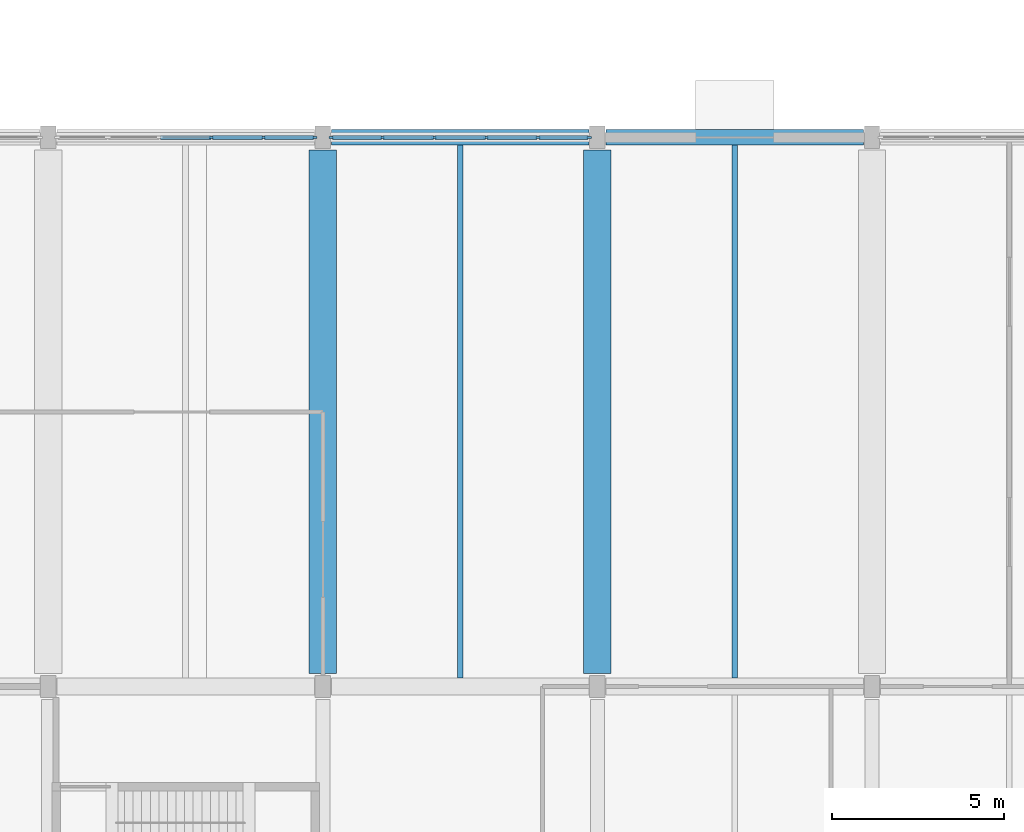
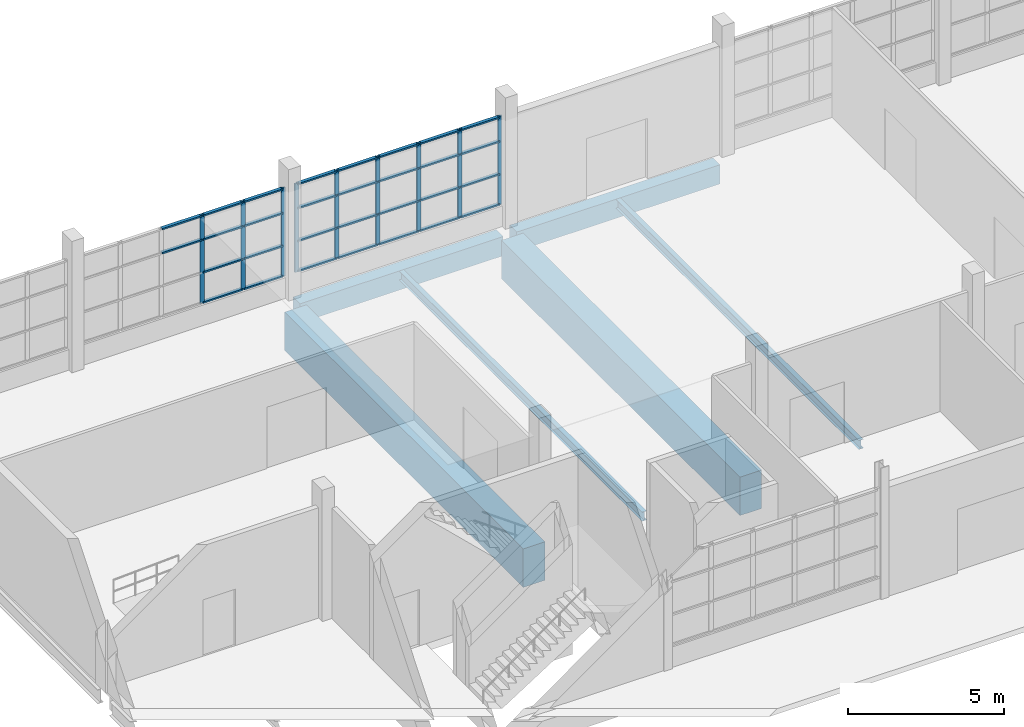
# One storey, part 22 of 103: 39 members, 6 beams, 2 elements without a shape of their own.
"""IFC4 building model written with IfcOpenShell, lengths in metres."""

from ifc_helpers import new_model, si_unit, direction, frame, origin, origin_2d, place, context, subcontext, project, spatial, rectangle, i_section, extrude, material, layer, layer_set, material_profile, profile_set, type_object, element, aggregate, save


model = new_model("IFC4")

# Units and contexts
model_context = context("Model", 3, precision=1e-05, world=origin(), true_north=direction((0.0, 1.0)))
body_context = subcontext(model_context, "Body", "Model", "MODEL_VIEW")
ifc_project = project(units=[si_unit("LENGTHUNIT", "METRE"), si_unit("AREAUNIT", "SQUARE_METRE"), si_unit("VOLUMEUNIT", "CUBIC_METRE"), si_unit("PLANEANGLEUNIT", "RADIAN"), si_unit("MASSUNIT", "GRAM", prefix="KILO")], contexts=[model_context])

# Site, building, storey
site_placement = place(None, origin())
site = spatial("IfcSite", under=ifc_project, at=site_placement, CompositionType="ELEMENT")
building_placement = place(site_placement, origin())
building = spatial("IfcBuilding", under=site, at=building_placement, Name="Drelvana Railside Aquatics Centre", CompositionType="ELEMENT")
storey_placement = place(building_placement, origin())
storey = spatial("IfcBuildingStorey", under=building, at=storey_placement, Name="L00", CompositionType="ELEMENT", Elevation=0.0)

# Curtain wall, members
ifc_material_1 = material(Name="Bronze-anodised aluminium curtain wall", Category="aluminium")
ifc_layer = layer(ifc_material_1, 0.1650390625, Name="Bronze-anodised aluminium curtain wall")
ifc_layer_set = layer_set([ifc_layer], Name="Bronze-anodised aluminium curtain wall")
curtain_wall_type = type_object("IfcCurtainWallType", Name="CW-Z5-COURT", PredefinedType="NOTDEFINED", material=ifc_layer_set)
curtain_wall_1_placement = place(storey_placement, origin())
curtain_wall_1 = element("IfcCurtainWall", 1, at=curtain_wall_1_placement, inside=storey, type_object=curtain_wall_type, Name="Curtain wall CW-05-102", PredefinedType="NOTDEFINED")
ifc_material_2 = material(Name="Bronze-anodised aluminium 6063-T6", Category="aluminium")
ifc_material_profile_1 = material_profile(ifc_material_2, rectangle(XDim=0.06005859375, YDim=0.14990234375, at=origin_2d()), Name="ALU-M 60x150")
ifc_profile_set_1 = profile_set([ifc_material_profile_1], Name="Bronze-anodised aluminium 6063-T6")
member_type_1 = type_object("IfcMemberType", Name="CW-Z5-COURT-MUL", PredefinedType="MULLION", material=ifc_profile_set_1)
member_1_placement = place(storey_placement, frame((108.756103515625, 24.0, 0.7939453125), z_axis=(0.0, 0.0, 1.0), x_axis=(0.0, 1.0, 0.0)))
member_1 = element("IfcMember", 2, at=member_1_placement, type_object=member_type_1, Name="CW-05 mullion 4", PredefinedType="MULLION", context=body_context, shape_type="SweptSolid", body=[
    extrude(rectangle(XDim=0.06005859375, YDim=0.14990234375, at=origin_2d()), origin(), (0.0, 0.0, 1.0), 3.4560546875),
])
member_2_placement = place(storey_placement, frame((110.2685546875, 24.0, 0.7939453125), z_axis=(0.0, 0.0, 1.0), x_axis=(0.0, 1.0, 0.0)))
member_2 = element("IfcMember", 3, at=member_2_placement, type_object=member_type_1, Name="CW-05 mullion 5", PredefinedType="MULLION", context=body_context, shape_type="SweptSolid", body=[
    extrude(rectangle(XDim=0.06005859375, YDim=0.14990234375, at=origin_2d()), origin(), (0.0, 0.0, 1.0), 3.4560546875),
])
member_3_placement = place(storey_placement, frame((111.7509765625, 24.0, 0.7939453125), z_axis=(0.0, 0.0, 1.0), x_axis=(0.0, 1.0, 0.0)))
member_3 = element("IfcMember", 4, at=member_3_placement, type_object=member_type_1, Name="CW-05 mullion 6", PredefinedType="MULLION", context=body_context, shape_type="SweptSolid", body=[
    extrude(rectangle(XDim=0.06005859375, YDim=0.14990234375, at=origin_2d()), origin(), (0.0, 0.0, 1.0), 3.4560546875),
])

curtain_wall_2_placement = place(storey_placement, origin())
curtain_wall_2 = element("IfcCurtainWall", 5, at=curtain_wall_2_placement, inside=storey, type_object=curtain_wall_type, Name="Curtain wall CW-05-106", PredefinedType="NOTDEFINED")
member_4_placement = place(storey_placement, frame((112.2490234375, 24.0, 0.7939453125), z_axis=(0.0, 0.0, 1.0), x_axis=(0.0, 1.0, 0.0)))
member_4 = element("IfcMember", 6, at=member_4_placement, type_object=member_type_1, Name="CW-05 mullion 1", PredefinedType="MULLION", context=body_context, shape_type="SweptSolid", body=[
    extrude(rectangle(XDim=0.06005859375, YDim=0.14990234375, at=origin_2d()), origin(), (0.0, 0.0, 1.0), 3.4560546875),
])
member_5_placement = place(storey_placement, frame((113.7314453125, 24.0, 0.7939453125), z_axis=(0.0, 0.0, 1.0), x_axis=(0.0, 1.0, 0.0)))
member_5 = element("IfcMember", 7, at=member_5_placement, type_object=member_type_1, Name="CW-05 mullion 2", PredefinedType="MULLION", context=body_context, shape_type="SweptSolid", body=[
    extrude(rectangle(XDim=0.06005859375, YDim=0.14990234375, at=origin_2d()), origin(), (0.0, 0.0, 1.0), 3.4560546875),
])
member_6_placement = place(storey_placement, frame((115.243896484375, 24.0, 0.7939453125), z_axis=(0.0, 0.0, 1.0), x_axis=(0.0, 1.0, 0.0)))
member_6 = element("IfcMember", 8, at=member_6_placement, type_object=member_type_1, Name="CW-05 mullion 3", PredefinedType="MULLION", context=body_context, shape_type="SweptSolid", body=[
    extrude(rectangle(XDim=0.06005859375, YDim=0.14990234375, at=origin_2d()), origin(), (0.0, 0.0, 1.0), 3.4560546875),
])
member_7_placement = place(storey_placement, frame((116.756103515625, 24.0, 0.7939453125), z_axis=(0.0, 0.0, 1.0), x_axis=(0.0, 1.0, 0.0)))
member_7 = element("IfcMember", 9, at=member_7_placement, type_object=member_type_1, Name="CW-05 mullion 4", PredefinedType="MULLION", context=body_context, shape_type="SweptSolid", body=[
    extrude(rectangle(XDim=0.06005859375, YDim=0.14990234375, at=origin_2d()), origin(), (0.0, 0.0, 1.0), 3.4560546875),
])
member_8_placement = place(storey_placement, frame((118.2685546875, 24.0, 0.7939453125), z_axis=(0.0, 0.0, 1.0), x_axis=(0.0, 1.0, 0.0)))
member_8 = element("IfcMember", 10, at=member_8_placement, type_object=member_type_1, Name="CW-05 mullion 5", PredefinedType="MULLION", context=body_context, shape_type="SweptSolid", body=[
    extrude(rectangle(XDim=0.06005859375, YDim=0.14990234375, at=origin_2d()), origin(), (0.0, 0.0, 1.0), 3.4560546875),
])
member_9_placement = place(storey_placement, frame((119.7509765625, 24.0, 0.7939453125), z_axis=(0.0, 0.0, 1.0), x_axis=(0.0, 1.0, 0.0)))
member_9 = element("IfcMember", 11, at=member_9_placement, type_object=member_type_1, Name="CW-05 mullion 6", PredefinedType="MULLION", context=body_context, shape_type="SweptSolid", body=[
    extrude(rectangle(XDim=0.06005859375, YDim=0.14990234375, at=origin_2d()), origin(), (0.0, 0.0, 1.0), 3.4560546875),
])

# Member
ifc_material_profile_2 = material_profile(ifc_material_2, rectangle(XDim=0.1201171875, YDim=0.06005859375, at=origin_2d()), Name="ALU-T 60x120")
ifc_profile_set_2 = profile_set([ifc_material_profile_2], Name="Bronze-anodised aluminium 6063-T6")
member_type_2 = type_object("IfcMemberType", Name="CW-Z5-COURT-TRN", PredefinedType="USERDEFINED", material=ifc_profile_set_2)
member_10_placement = place(storey_placement, frame((107.268798828125, 24.0, 3.281982421875), z_axis=(1.0, 0.0, 0.0), x_axis=(0.0, 1.0, 0.0)))
member_10 = element("IfcMember", 12, at=member_10_placement, type_object=member_type_2, Name="CW-05 transom 3.3", ObjectType="TRANSOM", PredefinedType="USERDEFINED", context=body_context, shape_type="SweptSolid", body=[
    extrude(rectangle(XDim=0.1201171875, YDim=0.06005859375, at=origin_2d()), origin(), (0.0, 0.0, 1.0), 1.46240234375),
])

member_11_placement = place(storey_placement, frame((107.268798828125, 24.0, 4.219970703125), z_axis=(1.0, 0.0, 0.0), x_axis=(0.0, 1.0, 0.0)))
member_11 = element("IfcMember", 13, at=member_11_placement, type_object=member_type_2, Name="CW-05 transom 3.4", ObjectType="TRANSOM", PredefinedType="USERDEFINED", context=body_context, shape_type="SweptSolid", body=[
    extrude(rectangle(XDim=0.1201171875, YDim=0.06005859375, at=origin_2d()), origin(), (0.0, 0.0, 1.0), 1.46240234375),
])

member_12_placement = place(storey_placement, frame((108.78125, 24.0, 0.823974609375), z_axis=(1.0, 0.0, 0.0), x_axis=(0.0, 1.0, 0.0)))
member_12 = element("IfcMember", 14, at=member_12_placement, type_object=member_type_2, Name="CW-05 transom 4.1", ObjectType="TRANSOM", PredefinedType="USERDEFINED", context=body_context, shape_type="SweptSolid", body=[
    extrude(rectangle(XDim=0.1201171875, YDim=0.06005859375, at=origin_2d()), origin(), (0.0, 0.0, 1.0), 1.46240234375),
])

member_13_placement = place(storey_placement, frame((108.78125, 24.0, 2.00390625), z_axis=(1.0, 0.0, 0.0), x_axis=(0.0, 1.0, 0.0)))
member_13 = element("IfcMember", 15, at=member_13_placement, type_object=member_type_2, Name="CW-05 transom 4.2", ObjectType="TRANSOM", PredefinedType="USERDEFINED", context=body_context, shape_type="SweptSolid", body=[
    extrude(rectangle(XDim=0.1201171875, YDim=0.06005859375, at=origin_2d()), origin(), (0.0, 0.0, 1.0), 1.46240234375),
])

member_14_placement = place(storey_placement, frame((108.78125, 24.0, 3.281982421875), z_axis=(1.0, 0.0, 0.0), x_axis=(0.0, 1.0, 0.0)))
member_14 = element("IfcMember", 16, at=member_14_placement, type_object=member_type_2, Name="CW-05 transom 4.3", ObjectType="TRANSOM", PredefinedType="USERDEFINED", context=body_context, shape_type="SweptSolid", body=[
    extrude(rectangle(XDim=0.1201171875, YDim=0.06005859375, at=origin_2d()), origin(), (0.0, 0.0, 1.0), 1.46240234375),
])

member_15_placement = place(storey_placement, frame((108.78125, 24.0, 4.219970703125), z_axis=(1.0, 0.0, 0.0), x_axis=(0.0, 1.0, 0.0)))
member_15 = element("IfcMember", 17, at=member_15_placement, type_object=member_type_2, Name="CW-05 transom 4.4", ObjectType="TRANSOM", PredefinedType="USERDEFINED", context=body_context, shape_type="SweptSolid", body=[
    extrude(rectangle(XDim=0.1201171875, YDim=0.06005859375, at=origin_2d()), origin(), (0.0, 0.0, 1.0), 1.46240234375),
])

member_16_placement = place(storey_placement, frame((110.293701171875, 24.0, 0.823974609375), z_axis=(1.0, 0.0, 0.0), x_axis=(0.0, 1.0, 0.0)))
member_16 = element("IfcMember", 18, at=member_16_placement, type_object=member_type_2, Name="CW-05 transom 5.1", ObjectType="TRANSOM", PredefinedType="USERDEFINED", context=body_context, shape_type="SweptSolid", body=[
    extrude(rectangle(XDim=0.1201171875, YDim=0.06005859375, at=origin_2d()), origin(), (0.0, 0.0, 1.0), 1.432373046875),
])

member_17_placement = place(storey_placement, frame((110.293701171875, 24.0, 2.00390625), z_axis=(1.0, 0.0, 0.0), x_axis=(0.0, 1.0, 0.0)))
member_17 = element("IfcMember", 19, at=member_17_placement, type_object=member_type_2, Name="CW-05 transom 5.2", ObjectType="TRANSOM", PredefinedType="USERDEFINED", context=body_context, shape_type="SweptSolid", body=[
    extrude(rectangle(XDim=0.1201171875, YDim=0.06005859375, at=origin_2d()), origin(), (0.0, 0.0, 1.0), 1.432373046875),
])

member_18_placement = place(storey_placement, frame((110.293701171875, 24.0, 3.281982421875), z_axis=(1.0, 0.0, 0.0), x_axis=(0.0, 1.0, 0.0)))
member_18 = element("IfcMember", 20, at=member_18_placement, type_object=member_type_2, Name="CW-05 transom 5.3", ObjectType="TRANSOM", PredefinedType="USERDEFINED", context=body_context, shape_type="SweptSolid", body=[
    extrude(rectangle(XDim=0.1201171875, YDim=0.06005859375, at=origin_2d()), origin(), (0.0, 0.0, 1.0), 1.432373046875),
])

member_19_placement = place(storey_placement, frame((110.293701171875, 24.0, 4.219970703125), z_axis=(1.0, 0.0, 0.0), x_axis=(0.0, 1.0, 0.0)))
member_19 = element("IfcMember", 21, at=member_19_placement, type_object=member_type_2, Name="CW-05 transom 5.4", ObjectType="TRANSOM", PredefinedType="USERDEFINED", context=body_context, shape_type="SweptSolid", body=[
    extrude(rectangle(XDim=0.1201171875, YDim=0.06005859375, at=origin_2d()), origin(), (0.0, 0.0, 1.0), 1.432373046875),
])

aggregate(curtain_wall_1, [member_1, member_2, member_3, member_10, member_11, member_12, member_13, member_14, member_15, member_16, member_17, member_18, member_19])

member_20_placement = place(storey_placement, frame((112.27392578125, 24.0, 0.823974609375), z_axis=(1.0, 0.0, 0.0), x_axis=(0.0, 1.0, 0.0)))
member_20 = element("IfcMember", 22, at=member_20_placement, type_object=member_type_2, Name="CW-05 transom 1.1", ObjectType="TRANSOM", PredefinedType="USERDEFINED", context=body_context, shape_type="SweptSolid", body=[
    extrude(rectangle(XDim=0.1201171875, YDim=0.06005859375, at=origin_2d()), origin(), (0.0, 0.0, 1.0), 1.432373046875),
])

member_21_placement = place(storey_placement, frame((112.27392578125, 24.0, 2.00390625), z_axis=(1.0, 0.0, 0.0), x_axis=(0.0, 1.0, 0.0)))
member_21 = element("IfcMember", 23, at=member_21_placement, type_object=member_type_2, Name="CW-05 transom 1.2", ObjectType="TRANSOM", PredefinedType="USERDEFINED", context=body_context, shape_type="SweptSolid", body=[
    extrude(rectangle(XDim=0.1201171875, YDim=0.06005859375, at=origin_2d()), origin(), (0.0, 0.0, 1.0), 1.432373046875),
])

member_22_placement = place(storey_placement, frame((112.27392578125, 24.0, 3.281982421875), z_axis=(1.0, 0.0, 0.0), x_axis=(0.0, 1.0, 0.0)))
member_22 = element("IfcMember", 24, at=member_22_placement, type_object=member_type_2, Name="CW-05 transom 1.3", ObjectType="TRANSOM", PredefinedType="USERDEFINED", context=body_context, shape_type="SweptSolid", body=[
    extrude(rectangle(XDim=0.1201171875, YDim=0.06005859375, at=origin_2d()), origin(), (0.0, 0.0, 1.0), 1.432373046875),
])

member_23_placement = place(storey_placement, frame((112.27392578125, 24.0, 4.219970703125), z_axis=(1.0, 0.0, 0.0), x_axis=(0.0, 1.0, 0.0)))
member_23 = element("IfcMember", 25, at=member_23_placement, type_object=member_type_2, Name="CW-05 transom 1.4", ObjectType="TRANSOM", PredefinedType="USERDEFINED", context=body_context, shape_type="SweptSolid", body=[
    extrude(rectangle(XDim=0.1201171875, YDim=0.06005859375, at=origin_2d()), origin(), (0.0, 0.0, 1.0), 1.432373046875),
])

member_24_placement = place(storey_placement, frame((113.75634765625, 24.0, 0.823974609375), z_axis=(1.0, 0.0, 0.0), x_axis=(0.0, 1.0, 0.0)))
member_24 = element("IfcMember", 26, at=member_24_placement, type_object=member_type_2, Name="CW-05 transom 2.1", ObjectType="TRANSOM", PredefinedType="USERDEFINED", context=body_context, shape_type="SweptSolid", body=[
    extrude(rectangle(XDim=0.1201171875, YDim=0.06005859375, at=origin_2d()), origin(), (0.0, 0.0, 1.0), 1.46240234375),
])

member_25_placement = place(storey_placement, frame((113.75634765625, 24.0, 2.00390625), z_axis=(1.0, 0.0, 0.0), x_axis=(0.0, 1.0, 0.0)))
member_25 = element("IfcMember", 27, at=member_25_placement, type_object=member_type_2, Name="CW-05 transom 2.2", ObjectType="TRANSOM", PredefinedType="USERDEFINED", context=body_context, shape_type="SweptSolid", body=[
    extrude(rectangle(XDim=0.1201171875, YDim=0.06005859375, at=origin_2d()), origin(), (0.0, 0.0, 1.0), 1.46240234375),
])

member_26_placement = place(storey_placement, frame((113.75634765625, 24.0, 3.281982421875), z_axis=(1.0, 0.0, 0.0), x_axis=(0.0, 1.0, 0.0)))
member_26 = element("IfcMember", 28, at=member_26_placement, type_object=member_type_2, Name="CW-05 transom 2.3", ObjectType="TRANSOM", PredefinedType="USERDEFINED", context=body_context, shape_type="SweptSolid", body=[
    extrude(rectangle(XDim=0.1201171875, YDim=0.06005859375, at=origin_2d()), origin(), (0.0, 0.0, 1.0), 1.46240234375),
])

member_27_placement = place(storey_placement, frame((113.75634765625, 24.0, 4.219970703125), z_axis=(1.0, 0.0, 0.0), x_axis=(0.0, 1.0, 0.0)))
member_27 = element("IfcMember", 29, at=member_27_placement, type_object=member_type_2, Name="CW-05 transom 2.4", ObjectType="TRANSOM", PredefinedType="USERDEFINED", context=body_context, shape_type="SweptSolid", body=[
    extrude(rectangle(XDim=0.1201171875, YDim=0.06005859375, at=origin_2d()), origin(), (0.0, 0.0, 1.0), 1.46240234375),
])

member_28_placement = place(storey_placement, frame((115.268798828125, 24.0, 0.823974609375), z_axis=(1.0, 0.0, 0.0), x_axis=(0.0, 1.0, 0.0)))
member_28 = element("IfcMember", 30, at=member_28_placement, type_object=member_type_2, Name="CW-05 transom 3.1", ObjectType="TRANSOM", PredefinedType="USERDEFINED", context=body_context, shape_type="SweptSolid", body=[
    extrude(rectangle(XDim=0.1201171875, YDim=0.06005859375, at=origin_2d()), origin(), (0.0, 0.0, 1.0), 1.46240234375),
])

member_29_placement = place(storey_placement, frame((115.268798828125, 24.0, 2.00390625), z_axis=(1.0, 0.0, 0.0), x_axis=(0.0, 1.0, 0.0)))
member_29 = element("IfcMember", 31, at=member_29_placement, type_object=member_type_2, Name="CW-05 transom 3.2", ObjectType="TRANSOM", PredefinedType="USERDEFINED", context=body_context, shape_type="SweptSolid", body=[
    extrude(rectangle(XDim=0.1201171875, YDim=0.06005859375, at=origin_2d()), origin(), (0.0, 0.0, 1.0), 1.46240234375),
])

member_30_placement = place(storey_placement, frame((115.268798828125, 24.0, 3.281982421875), z_axis=(1.0, 0.0, 0.0), x_axis=(0.0, 1.0, 0.0)))
member_30 = element("IfcMember", 32, at=member_30_placement, type_object=member_type_2, Name="CW-05 transom 3.3", ObjectType="TRANSOM", PredefinedType="USERDEFINED", context=body_context, shape_type="SweptSolid", body=[
    extrude(rectangle(XDim=0.1201171875, YDim=0.06005859375, at=origin_2d()), origin(), (0.0, 0.0, 1.0), 1.46240234375),
])

member_31_placement = place(storey_placement, frame((115.268798828125, 24.0, 4.219970703125), z_axis=(1.0, 0.0, 0.0), x_axis=(0.0, 1.0, 0.0)))
member_31 = element("IfcMember", 33, at=member_31_placement, type_object=member_type_2, Name="CW-05 transom 3.4", ObjectType="TRANSOM", PredefinedType="USERDEFINED", context=body_context, shape_type="SweptSolid", body=[
    extrude(rectangle(XDim=0.1201171875, YDim=0.06005859375, at=origin_2d()), origin(), (0.0, 0.0, 1.0), 1.46240234375),
])

member_32_placement = place(storey_placement, frame((116.78125, 24.0, 0.823974609375), z_axis=(1.0, 0.0, 0.0), x_axis=(0.0, 1.0, 0.0)))
member_32 = element("IfcMember", 34, at=member_32_placement, type_object=member_type_2, Name="CW-05 transom 4.1", ObjectType="TRANSOM", PredefinedType="USERDEFINED", context=body_context, shape_type="SweptSolid", body=[
    extrude(rectangle(XDim=0.1201171875, YDim=0.06005859375, at=origin_2d()), origin(), (0.0, 0.0, 1.0), 1.46240234375),
])

member_33_placement = place(storey_placement, frame((116.78125, 24.0, 2.00390625), z_axis=(1.0, 0.0, 0.0), x_axis=(0.0, 1.0, 0.0)))
member_33 = element("IfcMember", 35, at=member_33_placement, type_object=member_type_2, Name="CW-05 transom 4.2", ObjectType="TRANSOM", PredefinedType="USERDEFINED", context=body_context, shape_type="SweptSolid", body=[
    extrude(rectangle(XDim=0.1201171875, YDim=0.06005859375, at=origin_2d()), origin(), (0.0, 0.0, 1.0), 1.46240234375),
])

member_34_placement = place(storey_placement, frame((116.78125, 24.0, 3.281982421875), z_axis=(1.0, 0.0, 0.0), x_axis=(0.0, 1.0, 0.0)))
member_34 = element("IfcMember", 36, at=member_34_placement, type_object=member_type_2, Name="CW-05 transom 4.3", ObjectType="TRANSOM", PredefinedType="USERDEFINED", context=body_context, shape_type="SweptSolid", body=[
    extrude(rectangle(XDim=0.1201171875, YDim=0.06005859375, at=origin_2d()), origin(), (0.0, 0.0, 1.0), 1.46240234375),
])

member_35_placement = place(storey_placement, frame((116.78125, 24.0, 4.219970703125), z_axis=(1.0, 0.0, 0.0), x_axis=(0.0, 1.0, 0.0)))
member_35 = element("IfcMember", 37, at=member_35_placement, type_object=member_type_2, Name="CW-05 transom 4.4", ObjectType="TRANSOM", PredefinedType="USERDEFINED", context=body_context, shape_type="SweptSolid", body=[
    extrude(rectangle(XDim=0.1201171875, YDim=0.06005859375, at=origin_2d()), origin(), (0.0, 0.0, 1.0), 1.46240234375),
])

member_36_placement = place(storey_placement, frame((118.293701171875, 24.0, 0.823974609375), z_axis=(1.0, 0.0, 0.0), x_axis=(0.0, 1.0, 0.0)))
member_36 = element("IfcMember", 38, at=member_36_placement, type_object=member_type_2, Name="CW-05 transom 5.1", ObjectType="TRANSOM", PredefinedType="USERDEFINED", context=body_context, shape_type="SweptSolid", body=[
    extrude(rectangle(XDim=0.1201171875, YDim=0.06005859375, at=origin_2d()), origin(), (0.0, 0.0, 1.0), 1.432373046875),
])

member_37_placement = place(storey_placement, frame((118.293701171875, 24.0, 2.00390625), z_axis=(1.0, 0.0, 0.0), x_axis=(0.0, 1.0, 0.0)))
member_37 = element("IfcMember", 39, at=member_37_placement, type_object=member_type_2, Name="CW-05 transom 5.2", ObjectType="TRANSOM", PredefinedType="USERDEFINED", context=body_context, shape_type="SweptSolid", body=[
    extrude(rectangle(XDim=0.1201171875, YDim=0.06005859375, at=origin_2d()), origin(), (0.0, 0.0, 1.0), 1.432373046875),
])

member_38_placement = place(storey_placement, frame((118.293701171875, 24.0, 3.281982421875), z_axis=(1.0, 0.0, 0.0), x_axis=(0.0, 1.0, 0.0)))
member_38 = element("IfcMember", 40, at=member_38_placement, type_object=member_type_2, Name="CW-05 transom 5.3", ObjectType="TRANSOM", PredefinedType="USERDEFINED", context=body_context, shape_type="SweptSolid", body=[
    extrude(rectangle(XDim=0.1201171875, YDim=0.06005859375, at=origin_2d()), origin(), (0.0, 0.0, 1.0), 1.432373046875),
])

member_39_placement = place(storey_placement, frame((118.293701171875, 24.0, 4.219970703125), z_axis=(1.0, 0.0, 0.0), x_axis=(0.0, 1.0, 0.0)))
member_39 = element("IfcMember", 41, at=member_39_placement, type_object=member_type_2, Name="CW-05 transom 5.4", ObjectType="TRANSOM", PredefinedType="USERDEFINED", context=body_context, shape_type="SweptSolid", body=[
    extrude(rectangle(XDim=0.1201171875, YDim=0.06005859375, at=origin_2d()), origin(), (0.0, 0.0, 1.0), 1.432373046875),
])

aggregate(curtain_wall_2, [member_4, member_5, member_6, member_7, member_8, member_9, member_20, member_21, member_22, member_23, member_24, member_25, member_26, member_27, member_28, member_29, member_30, member_31, member_32, member_33, member_34, member_35, member_36, member_37, member_38, member_39])

# Beams
ifc_material_3 = material(Name="Concrete C40/50", Category="concrete")
ifc_material_profile_3 = material_profile(ifc_material_3, rectangle(XDim=0.449951171875, YDim=0.75, at=origin_2d()), Name="RC 450x750")
ifc_profile_set_3 = profile_set([ifc_material_profile_3], Name="Concrete C40/50")
beam_type_1 = type_object("IfcBeamType", Name="STR-BM-BM-04-RC-450x750", PredefinedType="BEAM", material=ifc_profile_set_3)
for number, where, z_axis, x_axis, name in (
    (42, (112.25, 24.0, -0.705078125), (1.0, 0.0, 0.0), (0.0, 1.0, 0.0), "Girder BM-04 (L00)"),
    (43, (120.25, 24.0, -0.705078125), (1.0, 0.0, 0.0), (0.0, 1.0, 0.0), "Girder BM-04 (L00)"),
):
    element("IfcBeam", number, at=place(storey_placement, frame(where, z_axis=z_axis, x_axis=x_axis)), inside=storey, type_object=beam_type_1, Name=name, PredefinedType="BEAM", context=body_context, shape_type="SweptSolid", body=[
        extrude(rectangle(XDim=0.449951171875, YDim=0.75, at=origin_2d()), origin(), (0.0, 0.0, 1.0), 7.5),
    ])
ifc_material_profile_4 = material_profile(ifc_material_3, rectangle(XDim=0.800048828125, YDim=1.5, at=origin_2d()), Name="RC 800x1500")
ifc_profile_set_4 = profile_set([ifc_material_profile_4], Name="Concrete C40/50")
beam_type_2 = type_object("IfcBeamType", Name="STR-BM-TG-03-RC-800x1500", PredefinedType="BEAM", material=ifc_profile_set_4)
for number, where, z_axis, x_axis, name in (
    (44, (112.0, 8.375, -1.080078125), (0.0, 1.0, 0.0), (-1.0, 0.0, 0.0), "Girder TG-03 (L00)"),
    (45, (120.0, 8.375, -1.080078125), (0.0, 1.0, 0.0), (-1.0, 0.0, 0.0), "Girder TG-03 (L00)"),
):
    element("IfcBeam", number, at=place(storey_placement, frame(where, z_axis=z_axis, x_axis=x_axis)), inside=storey, type_object=beam_type_2, Name=name, PredefinedType="BEAM", context=body_context, shape_type="SweptSolid", body=[
        extrude(rectangle(XDim=0.800048828125, YDim=1.5, at=origin_2d()), origin(), (0.0, 0.0, 1.0), 15.25),
    ])
ifc_material_4 = material(Name="Structural steel S355", Category="steel")
ifc_material_profile_5 = material_profile(ifc_material_4, i_section(OverallWidth=0.169921875, OverallDepth=0.360107421875, WebThickness=0.008056640625, FlangeThickness=0.0126953125, at=origin_2d()), Name="IPE 360")
ifc_profile_set_5 = profile_set([ifc_material_profile_5], Name="Structural steel S355")
beam_type_3 = type_object("IfcBeamType", Name="STR-SBM-SJ-05-IPE-360", PredefinedType="JOIST", material=ifc_profile_set_5)
for number, where, z_axis, x_axis, name in (
    (46, (116.0, 8.25, -0.510009765625), (0.0, 1.0, 0.0), (-1.0, 0.0, 0.0), "Secondary floor joist SJ-05 (L00)"),
    (47, (124.0, 8.25, -0.510009765625), (0.0, 1.0, 0.0), (-1.0, 0.0, 0.0), "Secondary floor joist SJ-05 (L00)"),
):
    element("IfcBeam", number, at=place(storey_placement, frame(where, z_axis=z_axis, x_axis=x_axis)), inside=storey, type_object=beam_type_3, Name=name, PredefinedType="JOIST", context=body_context, shape_type="SweptSolid", body=[
        extrude(i_section(OverallWidth=0.169921875, OverallDepth=0.360107421875, WebThickness=0.008056640625, FlangeThickness=0.0126953125, at=origin_2d()), origin(), (0.0, 0.0, 1.0), 15.52490234375),
    ])

save(model, "model.ifc")
